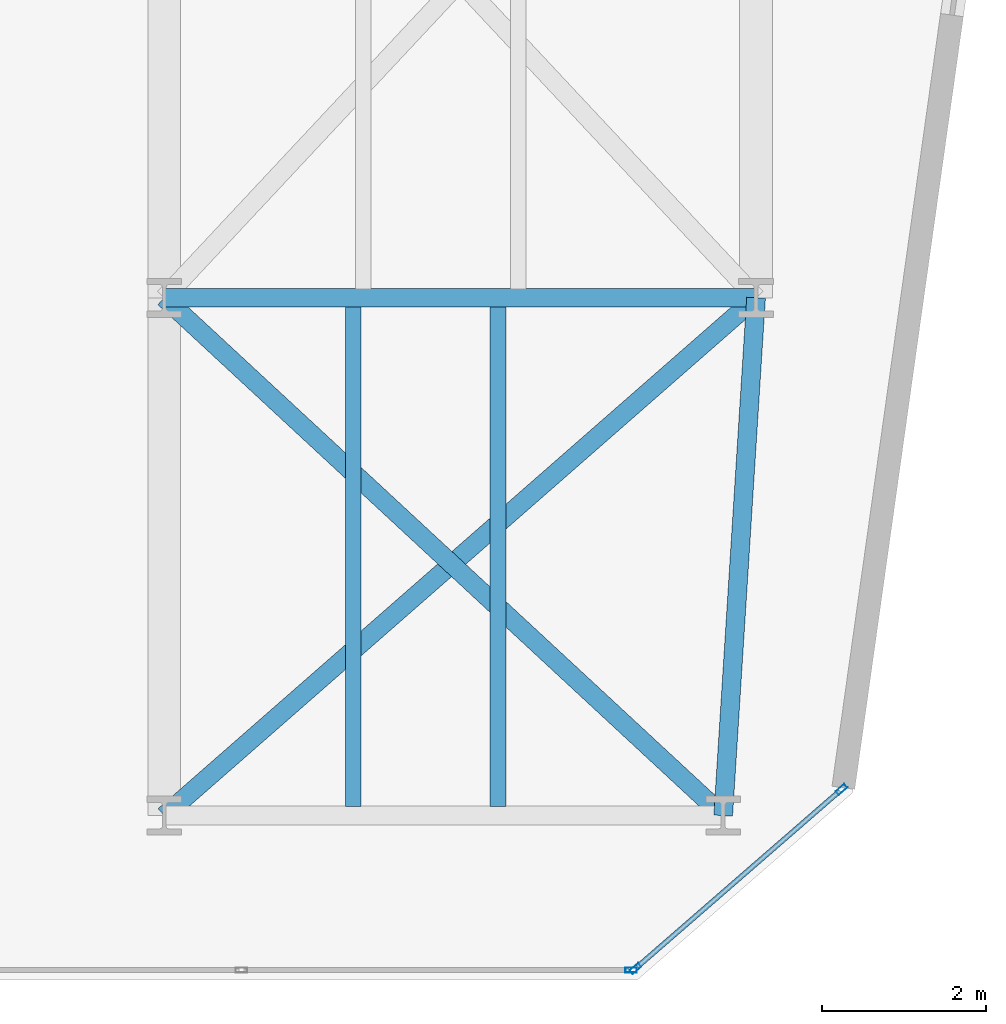
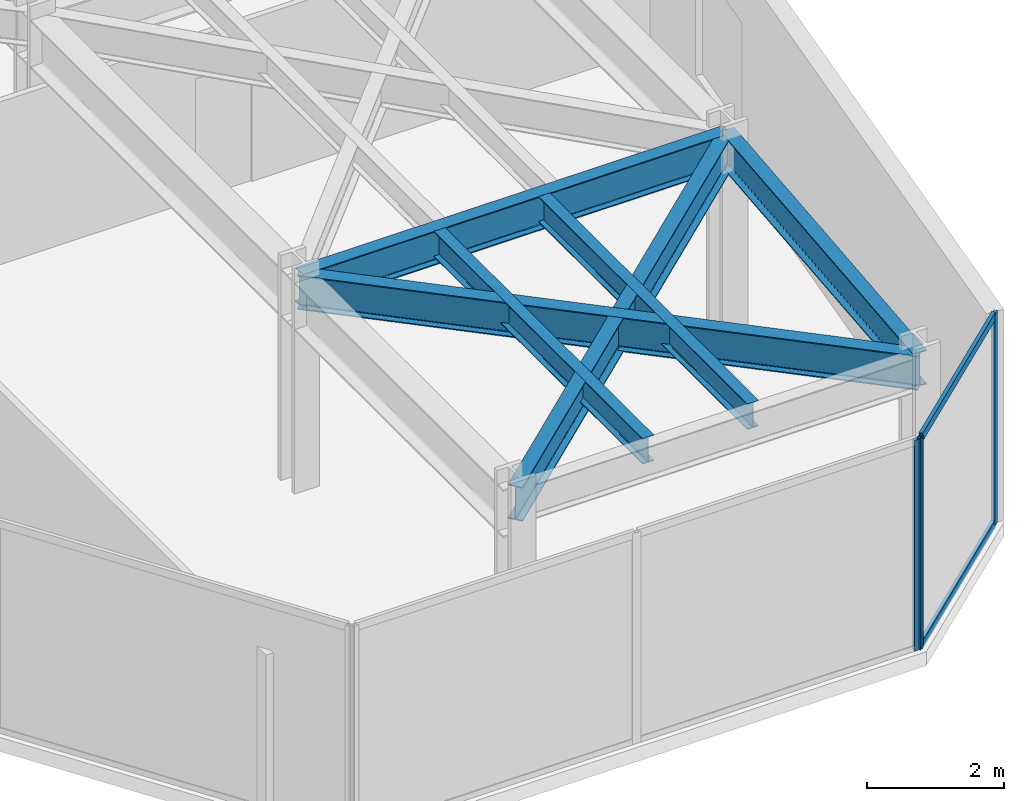
# One storey, part 19 of 26: 6 beams, 5 members, 2 elements without a shape of their own.
"""IFC4 building model written with IfcOpenShell, lengths in metres."""

from ifc_helpers import new_model, si_unit, direction, frame, origin, origin_2d, place, context, subcontext, project, spatial, hollow_rectangle, i_section, extrude, material, layer, layer_set, material_profile, profile_set, type_object, element, aggregate, save


model = new_model("IFC4")

# Units and contexts
model_context = context("Model", 3, precision=1e-05, world=origin(), true_north=direction((0.0, 1.0)))
body_context = subcontext(model_context, "Body", "Model", "MODEL_VIEW")
ifc_project = project(units=[si_unit("LENGTHUNIT", "METRE"), si_unit("AREAUNIT", "SQUARE_METRE"), si_unit("VOLUMEUNIT", "CUBIC_METRE"), si_unit("PLANEANGLEUNIT", "RADIAN"), si_unit("MASSUNIT", "GRAM", prefix="KILO")], contexts=[model_context])

# Site, building, storey
site_placement = place(None, origin())
site = spatial("IfcSite", under=ifc_project, at=site_placement, CompositionType="ELEMENT")
building_placement = place(site_placement, origin())
building = spatial("IfcBuilding", under=site, at=building_placement, Name="Kravanh Interchange Tower", CompositionType="ELEMENT")
storey_placement = place(building_placement, frame((0.0, 0.0, 120.0)))
storey = spatial("IfcBuildingStorey", under=building, at=storey_placement, Name="L28", CompositionType="ELEMENT", Elevation=120.0)

# Curtain wall, members
ifc_material_1 = material(Name="Anodised Bronze Aluminium", Category="aluminium")
ifc_layer = layer(ifc_material_1, 0.179931640625)
ifc_layer_set = layer_set([ifc_layer], Name="Unitised Curtain Wall System CW-Z2 Mid Office")
curtain_wall_type = type_object("IfcCurtainWallType", Name="Unitised Curtain Wall System CW-Z2 Mid Office", PredefinedType="NOTDEFINED", material=ifc_layer_set)
curtain_wall_1_placement = place(storey_placement, origin())
curtain_wall_1 = element("IfcCurtainWall", 1, at=curtain_wall_1_placement, inside=storey, type_object=curtain_wall_type, Name="L28 Unitised Curtain Wall CW-L28-02", PredefinedType="NOTDEFINED")
ifc_material_2 = material(Name="Anodised Bronze Aluminium", Category="aluminium")
ifc_material_profile_1 = material_profile(ifc_material_2, hollow_rectangle(XDim=0.06005859375, YDim=0.139892578125, WallThickness=0.00390625, at=origin_2d()), Name="ALU60X140X4")
ifc_profile_set_1 = profile_set([ifc_material_profile_1], Name="Anodised Bronze Aluminium")
member_type_1 = type_object("IfcMemberType", Name="Curtain Wall Mullion ALU60X140X4 Bronze", PredefinedType="MULLION", material=ifc_profile_set_1)
member_1_placement = place(storey_placement, frame((64.239990234375, 8.51904296875, 0.0), z_axis=(0.0, 0.0, 1.0), x_axis=(0.656047665617, -0.754719458103, 0.0)))
member_1 = element("IfcMember", 2, at=member_1_placement, type_object=member_type_1, Name="CW-Z2 mullion 1", PredefinedType="MULLION", context=body_context, shape_type="SweptSolid", body=[
    extrude(hollow_rectangle(XDim=0.06005859375, YDim=0.139892578125, WallThickness=0.00390625, at=origin_2d()), origin(), (0.0, 0.0, 1.0), 3.75),
])
member_2_placement = place(storey_placement, frame((61.73291015625, 6.339599609375, 0.0), z_axis=(0.0, 0.0, 1.0), x_axis=(0.656047665617, -0.754719458103, 0.0)))
member_2 = element("IfcMember", 3, at=member_2_placement, type_object=member_type_1, Name="CW-Z2 mullion 2", PredefinedType="MULLION", context=body_context, shape_type="SweptSolid", body=[
    extrude(hollow_rectangle(XDim=0.06005859375, YDim=0.139892578125, WallThickness=0.00390625, at=origin_2d()), origin(), (0.0, 0.0, 1.0), 3.75),
])

# Curtain wall, member
curtain_wall_2_placement = place(storey_placement, origin())
curtain_wall_2 = element("IfcCurtainWall", 4, at=curtain_wall_2_placement, inside=storey, type_object=curtain_wall_type, Name="L28 Unitised Curtain Wall CW-L28-03", PredefinedType="NOTDEFINED")
member_3_placement = place(storey_placement, frame((61.68017578125, 6.320068359375, 0.0), z_axis=(0.0, 0.0, 1.0), x_axis=(0.0, -1.0, 0.0)))
member_3 = element("IfcMember", 5, at=member_3_placement, type_object=member_type_1, Name="CW-Z2 mullion 1", PredefinedType="MULLION", context=body_context, shape_type="SweptSolid", body=[
    extrude(hollow_rectangle(XDim=0.06005859375, YDim=0.139892578125, WallThickness=0.00390625, at=origin_2d()), origin(), (0.0, 0.0, 1.0), 3.75),
])
aggregate(curtain_wall_2, [member_3])

# Member
ifc_material_3 = material(Name="Anodised Bronze Aluminium", Category="aluminium")
ifc_material_profile_2 = material_profile(ifc_material_3, hollow_rectangle(XDim=0.06005859375, YDim=0.139892578125, WallThickness=0.00390625, at=origin_2d()), Name="ALU60X140X4")
ifc_profile_set_2 = profile_set([ifc_material_profile_2], Name="Anodised Bronze Aluminium")
member_type_2 = type_object("IfcMemberType", Name="Curtain Wall Transom ALU60X140X4 Bronze", PredefinedType="USERDEFINED", material=ifc_profile_set_2)
member_4_placement = place(storey_placement, frame((64.21728515625, 8.499267578125, 0.030029296875), z_axis=(-0.754742467432, -0.656021194669, 0.0), x_axis=(0.656021194669, -0.754742467432, 0.0)))
member_4 = element("IfcMember", 6, at=member_4_placement, type_object=member_type_2, Name="CW-Z2 transom 1.1", ObjectType="TRANSOM", PredefinedType="USERDEFINED", context=body_context, shape_type="SweptSolid", body=[
    extrude(hollow_rectangle(XDim=0.06005859375, YDim=0.139892578125, WallThickness=0.00390625, at=origin_2d()), origin(), (0.0, 0.0, 1.0), 3.261962890625),
])

member_5_placement = place(storey_placement, frame((64.21728515625, 8.499267578125, 3.719970703125), z_axis=(-0.754742467432, -0.656021194669, 0.0), x_axis=(0.656021194669, -0.754742467432, 0.0)))
member_5 = element("IfcMember", 7, at=member_5_placement, type_object=member_type_2, Name="CW-Z2 transom 1.2", ObjectType="TRANSOM", PredefinedType="USERDEFINED", context=body_context, shape_type="SweptSolid", body=[
    extrude(hollow_rectangle(XDim=0.06005859375, YDim=0.139892578125, WallThickness=0.00390625, at=origin_2d()), origin(), (0.0, 0.0, 1.0), 3.261962890625),
])

aggregate(curtain_wall_1, [member_1, member_2, member_4, member_5])

# Beams
ifc_material_4 = material(Name="Structural Steel S355", Category="steel")
ifc_material_profile_3 = material_profile(ifc_material_4, i_section(OverallWidth=0.18994140625, OverallDepth=0.45703125, WebThickness=0.009033203125, FlangeThickness=0.014404296875, FilletRadius=0.01806640625, at=origin_2d()), Name="W18X50")
ifc_profile_set_3 = profile_set([ifc_material_profile_3], Name="Structural Steel S355")
beam_type_1 = type_object("IfcBeamType", Name="Floor Joist W18X50 Structural Steel S355", PredefinedType="JOIST", material=ifc_profile_set_3)
for number, where, z_axis, x_axis, name in (
    (8, (58.300048828125, 8.30908203125, 3.521484375), (0.0, 1.0, 0.0), (-1.0, 0.0, 0.0), "L28 Secondary Floor Joist 3"),
    (9, (60.06005859375, 8.30908203125, 3.521484375), (0.0, 1.0, 0.0), (-1.0, 0.0, 0.0), "L28 Secondary Floor Joist 4"),
):
    element("IfcBeam", number, at=place(storey_placement, frame(where, z_axis=z_axis, x_axis=x_axis)), inside=storey, type_object=beam_type_1, Name=name, PredefinedType="JOIST", context=body_context, shape_type="SweptSolid", body=[
        extrude(i_section(OverallWidth=0.18994140625, OverallDepth=0.45703125, WebThickness=0.009033203125, FlangeThickness=0.014404296875, FilletRadius=0.01806640625, at=origin_2d()), origin(), (0.0, 0.0, 1.0), 6.08203125),
    ])
ifc_material_5 = material(Name="Structural Steel S355", Category="steel")
ifc_material_profile_4 = material_profile(ifc_material_5, i_section(OverallWidth=0.22802734375, OverallDepth=0.60791015625, WebThickness=0.01123046875, FlangeThickness=0.017333984375, FilletRadius=0.02197265625, at=origin_2d()), Name="W24X76")
ifc_profile_set_4 = profile_set([ifc_material_profile_4], Name="Structural Steel S355")
beam_type_2 = type_object("IfcBeamType", Name="Floor Spandrel W24X76 Structural Steel S355", PredefinedType="SPANDREL", material=ifc_profile_set_4)
beam_1_placement = place(storey_placement, frame((56.0, 8.199951171875, 3.446044921875), z_axis=(0.752571952274, 0.658510027752, 0.0), x_axis=(-0.658510027752, 0.752571952274, 0.0)))
element("IfcBeam", 10, at=beam_1_placement, inside=storey, type_object=beam_type_2, Name="L28 Perimeter Spandrel 97", PredefinedType="SPANDREL", context=body_context, shape_type="SweptSolid", body=[
    extrude(i_section(OverallWidth=0.22802734375, OverallDepth=0.60791015625, WebThickness=0.01123046875, FlangeThickness=0.017333984375, FilletRadius=0.02197265625, at=origin_2d()), origin(), (0.0, 0.0, 1.0), 9.567138671875),
])
beam_2_placement = place(storey_placement, frame((62.800048828125, 8.199951171875, 3.446044921875), z_axis=(0.063348576418, 0.99799146182, 0.0), x_axis=(-0.99799146182, 0.063348576418, 0.0)))
element("IfcBeam", 11, at=beam_2_placement, inside=storey, type_object=beam_type_2, Name="L28 Perimeter Spandrel 98", PredefinedType="SPANDREL", context=body_context, shape_type="SweptSolid", body=[
    extrude(i_section(OverallWidth=0.22802734375, OverallDepth=0.60791015625, WebThickness=0.01123046875, FlangeThickness=0.017333984375, FilletRadius=0.02197265625, at=origin_2d()), origin(), (0.0, 0.0, 1.0), 6.312744140625),
])
beam_3_placement = place(storey_placement, frame((62.800048828125, 8.199951171875, 3.446044921875), z_axis=(-0.733561267923, 0.679623326706, 0.0), x_axis=(-0.679623326706, -0.733561267923, 0.0)))
element("IfcBeam", 12, at=beam_3_placement, inside=storey, type_object=beam_type_2, Name="L28 Perimeter Spandrel 99", PredefinedType="SPANDREL", context=body_context, shape_type="SweptSolid", body=[
    extrude(i_section(OverallWidth=0.22802734375, OverallDepth=0.60791015625, WebThickness=0.01123046875, FlangeThickness=0.017333984375, FilletRadius=0.02197265625, at=origin_2d()), origin(), (0.0, 0.0, 1.0), 9.27001953125),
])
beam_4_placement = place(storey_placement, frame((56.0, 14.5, 3.446044921875), z_axis=(1.0, 0.0, 0.0), x_axis=(0.0, 1.0, 0.0)))
element("IfcBeam", 13, at=beam_4_placement, inside=storey, type_object=beam_type_2, Name="L28 Perimeter Spandrel 103", PredefinedType="SPANDREL", context=body_context, shape_type="SweptSolid", body=[
    extrude(i_section(OverallWidth=0.22802734375, OverallDepth=0.60791015625, WebThickness=0.01123046875, FlangeThickness=0.017333984375, FilletRadius=0.02197265625, at=origin_2d()), origin(), (0.0, 0.0, 1.0), 7.199951171875),
])

save(model, "model.ifc")
